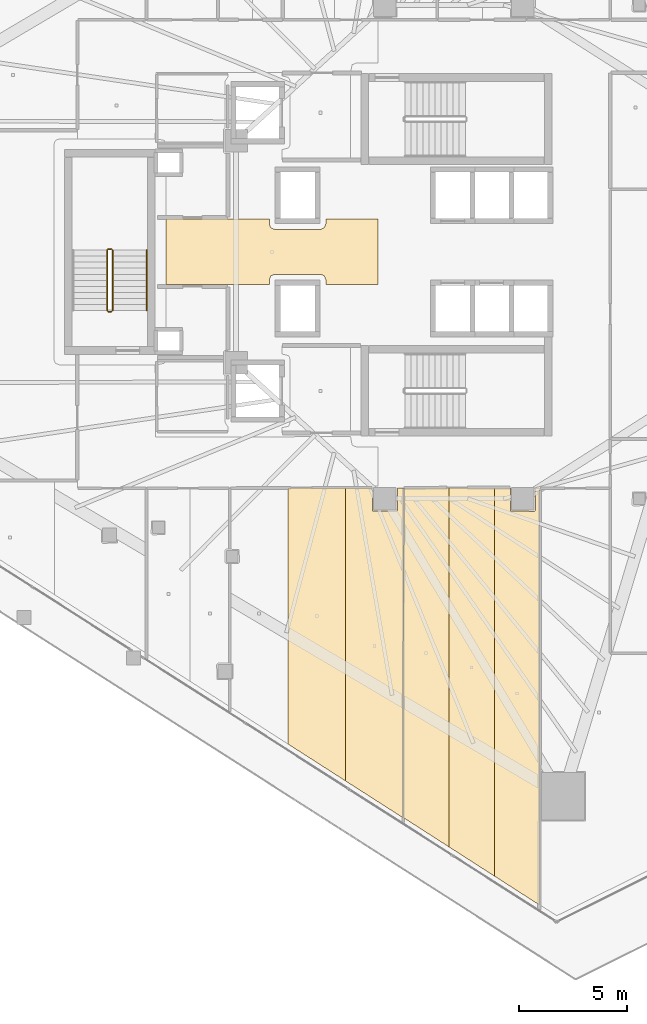
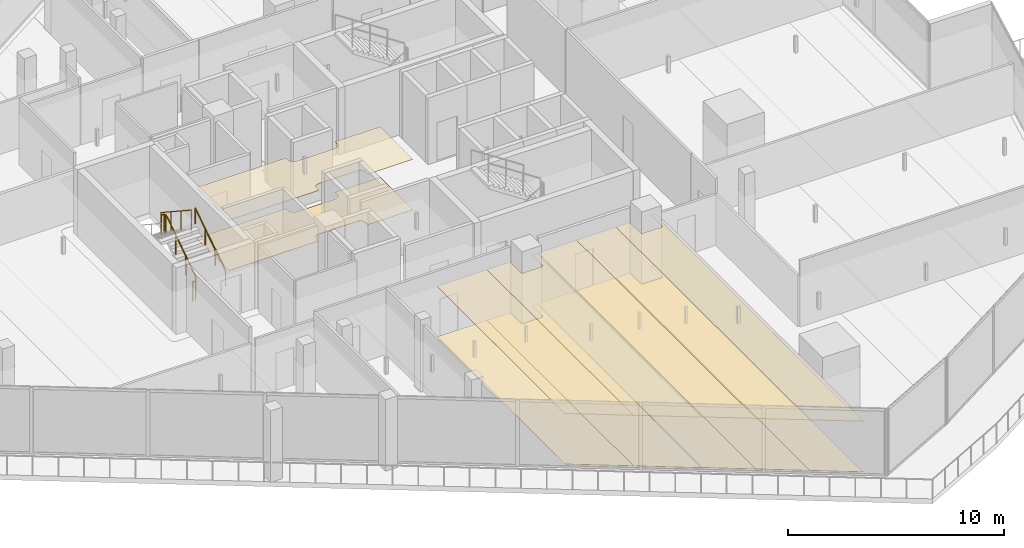
# One storey, part 38 of 45: 12 coverings, 5 railings.
"""IFC4 building model written with IfcOpenShell, lengths in metres."""

from ifc_helpers import new_model, si_unit, direction, frame, origin, origin_2d, place, context, subcontext, project, spatial, polyline, circle, outline, extrude, material, layer, layer_set, type_object, element, save


model = new_model("IFC4")

# Units and contexts
model_context = context("Model", 3, precision=1e-05, world=origin(), true_north=direction((0.0, 1.0)))
body_context = subcontext(model_context, "Body", "Model", "MODEL_VIEW")
ifc_project = project(units=[si_unit("LENGTHUNIT", "METRE"), si_unit("AREAUNIT", "SQUARE_METRE"), si_unit("VOLUMEUNIT", "CUBIC_METRE"), si_unit("PLANEANGLEUNIT", "RADIAN"), si_unit("MASSUNIT", "GRAM", prefix="KILO")], contexts=[model_context])

# Site, building, storey
site_placement = place(None, origin())
site = spatial("IfcSite", under=ifc_project, at=site_placement, CompositionType="ELEMENT")
building_placement = place(site_placement, origin())
building = spatial("IfcBuilding", under=site, at=building_placement, Name="Qorvath Tower", CompositionType="ELEMENT")
storey_placement = place(building_placement, frame((0.0, 0.0, 109.800048828125)))
storey = spatial("IfcBuildingStorey", under=building, at=storey_placement, Name="L24", CompositionType="ELEMENT", Elevation=109.800048828125)

# Coverings
ifc_material_1 = material(Name="Acoustic mineral fibre ceiling tile", Category="gypsum")
ifc_layer_1 = layer(ifc_material_1, 0.030029296875)
ifc_layer_set_1 = layer_set([ifc_layer_1], Name="COV-CEIL")
covering_type_1 = type_object("IfcCoveringType", Name="COV-CEIL", PredefinedType="CEILING", material=ifc_layer_set_1)
covering_1_placement = place(storey_placement, frame((0.0, 0.0, 2.849853515625)))
element("IfcCovering", 1, at=covering_1_placement, inside=storey, type_object=covering_type_1, Name="L24 Suspended Acoustic Ceiling 009", PredefinedType="CEILING", context=body_context, shape_type="SweptSolid", body=[
    extrude(outline(polyline([(-23.919677734375, -1.514892578125), (-23.919677734375, 1.514892578125), (-26.340087890625, 1.514892578125), (-26.340087890625, 1.2900390625), (-26.413330078125, 1.11328125), (-26.590087890625, 1.0400390625), (-28.7099609375, 1.0400390625), (-28.88671875, 1.11328125), (-28.9599609375, 1.2900390625), (-28.9599609375, 1.514892578125), (-33.760009765625, 1.514892578125), (-33.760009765625, -1.514892578125), (-28.9599609375, -1.514892578125), (-28.9599609375, -1.2900390625), (-28.88671875, -1.11328125), (-28.7099609375, -1.0400390625), (-26.590087890625, -1.0400390625), (-26.413330078125, -1.11328125), (-26.340087890625, -1.2900390625), (-26.340087890625, -1.514892578125), (-23.919677734375, -1.514892578125)])), origin(), (0.0, 0.0, 1.0), 0.030029296875),
])
covering_2_placement = place(storey_placement, frame((0.0, 0.0, 2.849853515625)))
element("IfcCovering", 2, at=covering_2_placement, inside=storey, type_object=covering_type_1, Name="L24 Suspended Acoustic Ceiling 025", PredefinedType="CEILING", context=body_context, shape_type="SweptSolid", body=[
    extrude(outline(polyline([(-25.418701171875, -24.5400390625), (-25.418701171875, -10.94677734375), (-28.0986328125, -10.954833984375), (-28.0986328125, -22.821044921875), (-25.418701171875, -24.5400390625)])), origin(), (0.0, 0.0, 1.0), 0.030029296875),
])
covering_3_placement = place(storey_placement, frame((0.0, 0.0, 2.849853515625)))
element("IfcCovering", 3, at=covering_3_placement, inside=storey, type_object=covering_type_1, Name="L24 Suspended Acoustic Ceiling 026", PredefinedType="CEILING", context=body_context, shape_type="SweptSolid", body=[
    extrude(outline(polyline([(-22.75634765625, -26.247802734375), (-22.73876953125, -10.962890625), (-23.014892578125, -10.951171875), (-23.014892578125, -11.97509765625), (-23.074951171875, -12.034912109375), (-24.16748046875, -12.017333984375), (-24.18505859375, -10.943115234375), (-25.418701171875, -10.94677734375), (-25.418701171875, -24.5400390625), (-22.75634765625, -26.247802734375)])), origin(), (0.0, 0.0, 1.0), 0.030029296875),
])
covering_4_placement = place(storey_placement, frame((0.0, 0.0, 2.849853515625)))
element("IfcCovering", 4, at=covering_4_placement, inside=storey, type_object=covering_type_1, Name="L24 Suspended Acoustic Ceiling 027", PredefinedType="CEILING", context=body_context, shape_type="SweptSolid", body=[
    extrude(outline(polyline([(-20.63232421875, -27.59326171875), (-20.63232421875, -10.95458984375), (-22.720703125, -10.962890625), (-22.73828125, -26.240966796875), (-20.63232421875, -27.59326171875)])), origin(), (0.0, 0.0, 1.0), 0.030029296875),
])
covering_5_placement = place(storey_placement, frame((0.0, 0.0, 2.849853515625)))
element("IfcCovering", 5, at=covering_5_placement, inside=storey, type_object=covering_type_1, Name="L24 Suspended Acoustic Ceiling 028", PredefinedType="CEILING", context=body_context, shape_type="SweptSolid", body=[
    extrude(outline(polyline([(-18.526123046875, -28.9453125), (-18.526123046875, -10.946044921875), (-20.63232421875, -10.95458984375), (-20.63232421875, -27.59326171875), (-18.526123046875, -28.9453125)])), origin(), (0.0, 0.0, 1.0), 0.030029296875),
])
covering_6_placement = place(storey_placement, frame((0.0, 0.0, 2.849853515625)))
element("IfcCovering", 6, at=covering_6_placement, inside=storey, type_object=covering_type_1, Name="L24 Suspended Acoustic Ceiling 029", PredefinedType="CEILING", context=body_context, shape_type="SweptSolid", body=[
    extrude(outline(polyline([(-16.437744140625, -30.2861328125), (-16.419921875, -10.962646484375), (-16.614990234375, -10.953369140625), (-16.614990234375, -11.97509765625), (-16.675048828125, -12.034912109375), (-17.767333984375, -12.017333984375), (-17.784912109375, -10.943115234375), (-18.526123046875, -10.946044921875), (-18.526123046875, -28.9453125), (-16.437744140625, -30.2861328125)])), origin(), (0.0, 0.0, 1.0), 0.030029296875),
])
ifc_material_2 = material(Name="Low-VOC modular carpet tile", Category="textile")
ifc_layer_2 = layer(ifc_material_2, 0.014892578125)
ifc_layer_set_2 = layer_set([ifc_layer_2], Name="COV-FLOOR-CPT")
covering_type_2 = type_object("IfcCoveringType", Name="COV-FLOOR-CPT", PredefinedType="FLOORING", material=ifc_layer_set_2)
covering_7_placement = place(storey_placement, origin())
element("IfcCovering", 7, at=covering_7_placement, inside=storey, type_object=covering_type_2, Name="L24 Floor Finish 025", PredefinedType="FLOORING", context=body_context, shape_type="SweptSolid", body=[
    extrude(outline(polyline([(-25.418701171875, -24.5400390625), (-25.418701171875, -10.94677734375), (-28.0986328125, -10.954833984375), (-28.0986328125, -22.821044921875), (-25.418701171875, -24.5400390625)])), origin(), (0.0, 0.0, 1.0), 0.014892578125),
])
covering_8_placement = place(storey_placement, origin())
element("IfcCovering", 8, at=covering_8_placement, inside=storey, type_object=covering_type_2, Name="L24 Floor Finish 026", PredefinedType="FLOORING", context=body_context, shape_type="SweptSolid", body=[
    extrude(outline(polyline([(-22.75634765625, -26.247802734375), (-22.73876953125, -10.962890625), (-23.014892578125, -10.951171875), (-23.014892578125, -11.97509765625), (-23.074951171875, -12.034912109375), (-24.16748046875, -12.017333984375), (-24.18505859375, -10.943115234375), (-25.418701171875, -10.94677734375), (-25.418701171875, -24.5400390625), (-22.75634765625, -26.247802734375)])), origin(), (0.0, 0.0, 1.0), 0.014892578125),
])
covering_9_placement = place(storey_placement, origin())
element("IfcCovering", 9, at=covering_9_placement, inside=storey, type_object=covering_type_2, Name="L24 Floor Finish 027", PredefinedType="FLOORING", context=body_context, shape_type="SweptSolid", body=[
    extrude(outline(polyline([(-20.63232421875, -27.59326171875), (-20.63232421875, -10.95458984375), (-22.720703125, -10.962890625), (-22.73828125, -26.240966796875), (-20.63232421875, -27.59326171875)])), origin(), (0.0, 0.0, 1.0), 0.014892578125),
])
covering_10_placement = place(storey_placement, origin())
element("IfcCovering", 10, at=covering_10_placement, inside=storey, type_object=covering_type_2, Name="L24 Floor Finish 028", PredefinedType="FLOORING", context=body_context, shape_type="SweptSolid", body=[
    extrude(outline(polyline([(-18.526123046875, -28.9453125), (-18.526123046875, -10.946044921875), (-20.63232421875, -10.95458984375), (-20.63232421875, -27.59326171875), (-18.526123046875, -28.9453125)])), origin(), (0.0, 0.0, 1.0), 0.014892578125),
])
covering_11_placement = place(storey_placement, origin())
element("IfcCovering", 11, at=covering_11_placement, inside=storey, type_object=covering_type_2, Name="L24 Floor Finish 029", PredefinedType="FLOORING", context=body_context, shape_type="SweptSolid", body=[
    extrude(outline(polyline([(-16.437744140625, -30.2861328125), (-16.419921875, -10.962646484375), (-16.614990234375, -10.953369140625), (-16.614990234375, -11.97509765625), (-16.675048828125, -12.034912109375), (-17.767333984375, -12.017333984375), (-17.784912109375, -10.943115234375), (-18.526123046875, -10.946044921875), (-18.526123046875, -28.9453125), (-16.437744140625, -30.2861328125)])), origin(), (0.0, 0.0, 1.0), 0.014892578125),
])
ifc_material_3 = material(Name="Polished epoxy terrazzo flooring", Category="concrete")
ifc_layer_3 = layer(ifc_material_3, 0.02001953125)
ifc_layer_set_3 = layer_set([ifc_layer_3], Name="COV-FLOOR-TRZ")
covering_type_3 = type_object("IfcCoveringType", Name="COV-FLOOR-TRZ", PredefinedType="FLOORING", material=ifc_layer_set_3)
covering_12_placement = place(storey_placement, origin())
element("IfcCovering", 12, at=covering_12_placement, inside=storey, type_object=covering_type_3, Name="L24 Floor Finish 009", PredefinedType="FLOORING", context=body_context, shape_type="SweptSolid", body=[
    extrude(outline(polyline([(-23.919677734375, -1.514892578125), (-23.919677734375, 1.514892578125), (-26.340087890625, 1.514892578125), (-26.340087890625, 1.2900390625), (-26.413330078125, 1.11328125), (-26.590087890625, 1.0400390625), (-28.7099609375, 1.0400390625), (-28.88671875, 1.11328125), (-28.9599609375, 1.2900390625), (-28.9599609375, 1.514892578125), (-33.760009765625, 1.514892578125), (-33.760009765625, -1.514892578125), (-28.9599609375, -1.514892578125), (-28.9599609375, -1.2900390625), (-28.88671875, -1.11328125), (-28.7099609375, -1.0400390625), (-26.590087890625, -1.0400390625), (-26.413330078125, -1.11328125), (-26.340087890625, -1.2900390625), (-26.340087890625, -1.514892578125), (-23.919677734375, -1.514892578125)])), origin(), (0.0, 0.0, 1.0), 0.014892578125),
])

# Railings
ifc_material_4 = material(Name="Painted galvanised steel", Category="steel")
railing_type_1 = type_object("IfcRailingType", Name="RL-STR-GRD", PredefinedType="GUARDRAIL", material=ifc_material_4)
railing_1_placement = place(storey_placement, frame((-36.22998046875, -2.719970703125, 0.18408203125)))
element("IfcRailing", 13, at=railing_1_placement, inside=storey, type_object=railing_type_1, Name="L24 TS3 stair guard 1", PredefinedType="GUARDRAIL", context=body_context, shape_type="SweptSolid", body=[
    extrude(circle(Radius=0.02392578125, at=origin_2d()), frame((0.0, 0.0, 1.076171875), z_axis=(0.0, 0.835597507184, 0.549342157483), x_axis=(-1.0, 0.0, 0.0)), (0.0, 0.0, 1.0), 3.35107421875),
    extrude(circle(Radius=0.02099609375, at=origin_2d()), origin(), (0.0, 0.0, 1.0), 1.052001953125),
    extrude(circle(Radius=0.02099609375, at=origin_2d()), frame((0.0, 0.933349609375, 0.613525390625)), (0.0, 0.0, 1.0), 1.052001953125),
    extrude(circle(Radius=0.02099609375, at=origin_2d()), frame((0.0, 1.86669921875, 1.227294921875)), (0.0, 0.0, 1.0), 1.052001953125),
    extrude(circle(Radius=0.02099609375, at=origin_2d()), frame((0.0, 2.800048828125, 1.8408203125)), (0.0, 0.0, 1.0), 1.052001953125),
])
railing_2_placement = place(storey_placement, frame((-36.280029296875, 0.1298828125, 2.02490234375)))
element("IfcRailing", 14, at=railing_2_placement, inside=storey, type_object=railing_type_1, Name="L24 TS3 stair guard 2", PredefinedType="GUARDRAIL", context=body_context, shape_type="SweptSolid", body=[
    extrude(circle(Radius=0.02392578125, at=origin_2d()), frame((0.0, 0.0, 1.076171875), z_axis=(-1.0, 0.0, 0.0), x_axis=(0.0, -1.0, 0.0)), (0.0, 0.0, 1.0), 0.14990234375),
    extrude(circle(Radius=0.02099609375, at=origin_2d()), origin(), (0.0, 0.0, 1.0), 1.052001953125),
    extrude(circle(Radius=0.02099609375, at=origin_2d()), frame((-0.14990234375, 0.0, 0.0)), (0.0, 0.0, 1.0), 1.052001953125),
])
railing_3_placement = place(storey_placement, frame((-36.47998046875, 0.080078125, 2.208984375)))
element("IfcRailing", 15, at=railing_3_placement, inside=storey, type_object=railing_type_1, Name="L24 TS3 stair guard 3", PredefinedType="GUARDRAIL", context=body_context, shape_type="SweptSolid", body=[
    extrude(circle(Radius=0.02392578125, at=origin_2d()), frame((0.0, 0.0, 1.076171875), z_axis=(0.0, -0.83556406348, 0.549393024911), x_axis=(1.0, 0.0, 0.0)), (0.0, 0.0, 1.0), 3.35107421875),
    extrude(circle(Radius=0.02099609375, at=origin_2d()), origin(), (0.0, 0.0, 1.0), 1.052001953125),
    extrude(circle(Radius=0.02099609375, at=origin_2d()), frame((0.0, -0.933349609375, 0.61376953125)), (0.0, 0.0, 1.0), 1.052001953125),
    extrude(circle(Radius=0.02099609375, at=origin_2d()), frame((0.0, -1.86669921875, 1.227294921875)), (0.0, 0.0, 1.0), 1.052001953125),
    extrude(circle(Radius=0.02099609375, at=origin_2d()), frame((0.0, -2.800048828125, 1.841064453125)), (0.0, 0.0, 1.0), 1.052001953125),
])
railing_4_placement = place(storey_placement, frame((-36.280029296875, -2.77001953125, 0.0)))
element("IfcRailing", 16, at=railing_4_placement, inside=storey, type_object=railing_type_1, Name="L24 TS3 stair guard 4", PredefinedType="GUARDRAIL", context=body_context, shape_type="SweptSolid", body=[
    extrude(circle(Radius=0.02392578125, at=origin_2d()), frame((0.0, 0.0, 1.076171875), z_axis=(-1.0, 0.0, 0.0), x_axis=(0.0, -1.0, 0.0)), (0.0, 0.0, 1.0), 0.14990234375),
    extrude(circle(Radius=0.02099609375, at=origin_2d()), origin(), (0.0, 0.0, 1.0), 1.052001953125),
    extrude(circle(Radius=0.02099609375, at=origin_2d()), frame((-0.14990234375, 0.0, 0.0)), (0.0, 0.0, 1.0), 1.052001953125),
])
ifc_material_5 = material(Name="Brushed stainless steel AISI 304", Category="steel")
railing_type_2 = type_object("IfcRailingType", Name="RL-STR-HND", PredefinedType="HANDRAIL", material=ifc_material_5)
railing_5_placement = place(storey_placement, frame((-34.64990234375, -2.719970703125, 0.18408203125)))
element("IfcRailing", 17, at=railing_5_placement, inside=storey, type_object=railing_type_2, Name="L24 TS3 stair handrail 1", PredefinedType="HANDRAIL", context=body_context, shape_type="SweptSolid", body=[
    extrude(circle(Radius=0.02392578125, at=origin_2d()), frame((0.0, 0.0, 0.8759765625), z_axis=(0.0, 0.835597507184, 0.549342157483), x_axis=(-1.0, 0.0, 0.0)), (0.0, 0.0, 1.0), 3.35107421875),
    extrude(circle(Radius=0.02099609375, at=origin_2d()), origin(), (0.0, 0.0, 1.0), 0.851806640625),
    extrude(circle(Radius=0.02099609375, at=origin_2d()), frame((0.0, 0.933349609375, 0.613525390625)), (0.0, 0.0, 1.0), 0.851806640625),
    extrude(circle(Radius=0.02099609375, at=origin_2d()), frame((0.0, 1.86669921875, 1.227294921875)), (0.0, 0.0, 1.0), 0.851806640625),
    extrude(circle(Radius=0.02099609375, at=origin_2d()), frame((0.0, 2.800048828125, 1.8408203125)), (0.0, 0.0, 1.0), 0.851806640625),
])

save(model, "model.ifc")
